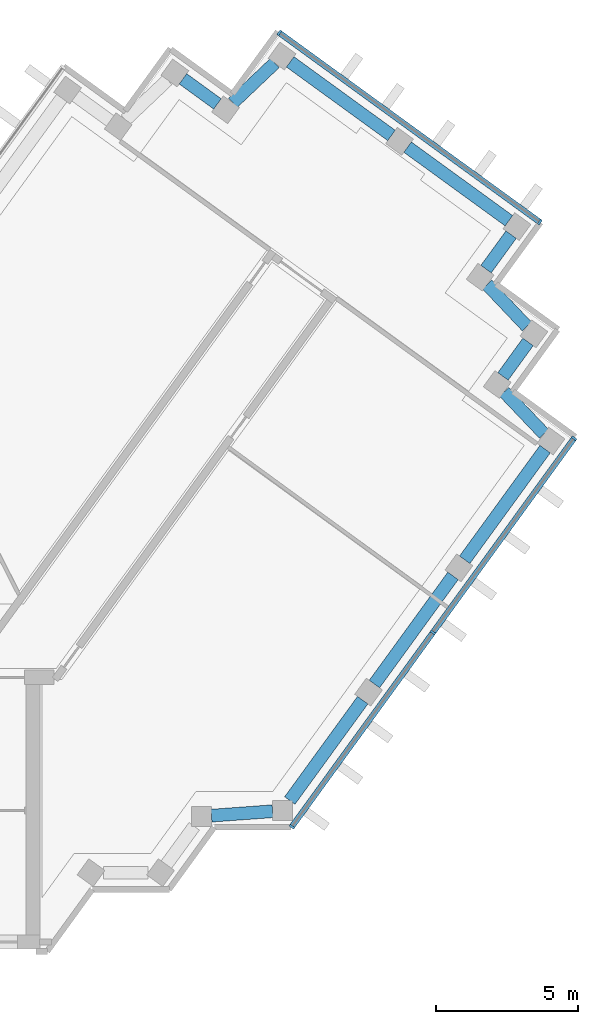
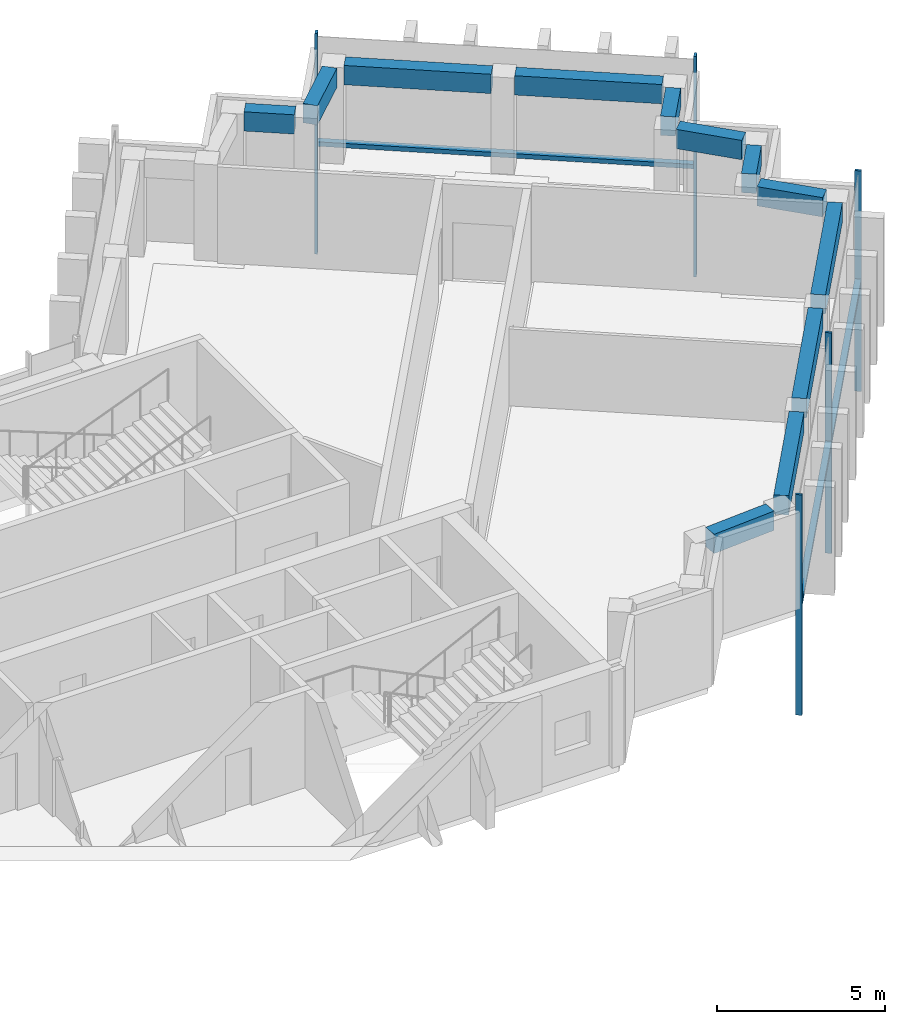
# One storey, part 6 of 13: 12 beams, 8 members, 2 elements without a shape of their own.
"""IFC4 building model written with IfcOpenShell, lengths in metres."""

from ifc_helpers import new_model, si_unit, direction, frame, origin, origin_2d, place, context, subcontext, project, spatial, rectangle, extrude, material, material_profile, profile_set, type_object, element, aggregate, save


model = new_model("IFC4")

# Units and contexts
model_context = context("Model", 3, precision=1e-05, world=origin(), true_north=direction((0.0, 1.0)))
body_context = subcontext(model_context, "Body", "Model", "MODEL_VIEW")
ifc_project = project(units=[si_unit("LENGTHUNIT", "METRE"), si_unit("AREAUNIT", "SQUARE_METRE"), si_unit("VOLUMEUNIT", "CUBIC_METRE"), si_unit("PLANEANGLEUNIT", "RADIAN"), si_unit("MASSUNIT", "GRAM", prefix="KILO")], contexts=[model_context])

# Site, building, storey
site_placement = place(None, origin())
site = spatial("IfcSite", under=ifc_project, at=site_placement, CompositionType="ELEMENT")
building_placement = place(site_placement, origin())
building = spatial("IfcBuilding", under=site, at=building_placement, Name="Quipu Civic Tower", CompositionType="ELEMENT")
storey_placement = place(building_placement, frame((0.0, 0.0, 269.0)))
storey = spatial("IfcBuildingStorey", under=building, at=storey_placement, Name="L63", CompositionType="ELEMENT", Elevation=269.0)

# Curtain wall, members
ifc_material_1 = material(Name="Insulated glass unit", Category="glass")
curtain_wall_type = type_object("IfcCurtainWallType", Name="Office curtain wall CW1", PredefinedType="NOTDEFINED", material=ifc_material_1)
curtain_wall_1_placement = place(storey_placement, origin())
curtain_wall_1 = element("IfcCurtainWall", 1, at=curtain_wall_1_placement, inside=storey, type_object=curtain_wall_type, Name="Office curtain wall CW1 L62 run 16", PredefinedType="NOTDEFINED")
ifc_material_2 = material(Name="Anodised aluminium", Category="aluminium")
ifc_material_profile_1 = material_profile(ifc_material_2, rectangle(XDim=0.199951171875, YDim=0.080078125, at=origin_2d()), Name="RECT 200x80")
ifc_profile_set_1 = profile_set([ifc_material_profile_1], Name="Anodised aluminium")
member_type_1 = type_object("IfcMemberType", Name="Mullion CW1", PredefinedType="MULLION", material=ifc_profile_set_1)
member_1_placement = place(storey_placement, frame((28.853271484375, -6.698974609375, -3.919921875), z_axis=(0.0, 0.0, 1.0), x_axis=(-0.809016278475, 0.587786237643, 0.0)))
member_1 = element("IfcMember", 2, at=member_1_placement, type_object=member_type_1, Name="CW1 mullion 1", PredefinedType="MULLION", context=body_context, shape_type="SweptSolid", body=[
    extrude(rectangle(XDim=0.199951171875, YDim=0.080078125, at=origin_2d()), origin(), (0.0, 0.0, 1.0), 8.0),
])
member_2_placement = place(storey_placement, frame((33.81298828125, 0.12744140625, -3.919921875), z_axis=(0.0, 0.0, 1.0), x_axis=(-0.809016278475, 0.587786237643, 0.0)))
member_2 = element("IfcMember", 3, at=member_2_placement, type_object=member_type_1, Name="CW1 mullion 2", PredefinedType="MULLION", context=body_context, shape_type="SweptSolid", body=[
    extrude(rectangle(XDim=0.199951171875, YDim=0.080078125, at=origin_2d()), origin(), (0.0, 0.0, 1.0), 8.0),
])
member_3_placement = place(storey_placement, frame((38.772705078125, 6.953857421875, -3.919921875), z_axis=(0.0, 0.0, 1.0), x_axis=(-0.809016278475, 0.587786237643, 0.0)))
member_3 = element("IfcMember", 4, at=member_3_placement, type_object=member_type_1, Name="CW1 mullion 3", PredefinedType="MULLION", context=body_context, shape_type="SweptSolid", body=[
    extrude(rectangle(XDim=0.199951171875, YDim=0.080078125, at=origin_2d()), origin(), (0.0, 0.0, 1.0), 8.0),
])

curtain_wall_2_placement = place(storey_placement, origin())
curtain_wall_2 = element("IfcCurtainWall", 5, at=curtain_wall_2_placement, inside=storey, type_object=curtain_wall_type, Name="Office curtain wall CW1 L62 run 21", PredefinedType="NOTDEFINED")
member_4_placement = place(storey_placement, frame((37.569091796875, 14.552490234375, -3.919921875), z_axis=(0.0, 0.0, 1.0), x_axis=(-0.587787753918, -0.809015176832, 0.0)))
member_4 = element("IfcMember", 6, at=member_4_placement, type_object=member_type_1, Name="CW1 mullion 1", PredefinedType="MULLION", context=body_context, shape_type="SweptSolid", body=[
    extrude(rectangle(XDim=0.199951171875, YDim=0.080078125, at=origin_2d()), origin(), (0.0, 0.0, 1.0), 8.0),
])
member_5_placement = place(storey_placement, frame((28.4111328125, 21.206298828125, -3.919921875), z_axis=(0.0, 0.0, 1.0), x_axis=(-0.587787753918, -0.809015176832, 0.0)))
member_5 = element("IfcMember", 7, at=member_5_placement, type_object=member_type_1, Name="CW1 mullion 2", PredefinedType="MULLION", context=body_context, shape_type="SweptSolid", body=[
    extrude(rectangle(XDim=0.199951171875, YDim=0.080078125, at=origin_2d()), origin(), (0.0, 0.0, 1.0), 8.0),
])

# Beams
ifc_material_3 = material(Name="Concrete C50/60", Category="concrete")
ifc_material_profile_2 = material_profile(ifc_material_3, rectangle(XDim=0.449951171875, YDim=0.699951171875, at=origin_2d()), Name="RC450x700")
ifc_profile_set_2 = profile_set([ifc_material_profile_2], Name="Concrete C50/60")
beam_type = type_object("IfcBeamType", Name="Spandrel beam RC 450x700 C50/60", PredefinedType="SPANDREL", material=ifc_profile_set_2)
beam_1_placement = place(storey_placement, frame((26.0244140625, -6.3115234375, 3.14990234375), z_axis=(0.997379352029, 0.072349347934, 0.0), x_axis=(-0.072349347934, 0.997379352029, 0.0)))
element("IfcBeam", 8, at=beam_1_placement, inside=storey, type_object=beam_type, Name="Spandrel beam L63 J-Eo.3 to J-Eo.4", PredefinedType="SPANDREL", context=body_context, shape_type="SweptSolid", body=[
    extrude(rectangle(XDim=0.449951171875, YDim=0.699951171875, at=origin_2d()), origin(), (0.0, 0.0, 1.0), 2.15625),
])
beam_2_placement = place(storey_placement, frame((28.779296875, -5.780029296875, 3.14990234375), z_axis=(0.58777550284, 0.809024077677, 0.0), x_axis=(-0.809024077677, 0.58777550284, 0.0)))
element("IfcBeam", 9, at=beam_2_placement, inside=storey, type_object=beam_type, Name="Spandrel beam L63 J-Eo.4 to E-OUT-01", PredefinedType="SPANDREL", context=body_context, shape_type="SweptSolid", body=[
    extrude(rectangle(XDim=0.449951171875, YDim=0.699951171875, at=origin_2d()), origin(), (0.0, 0.0, 1.0), 4.36083984375),
])
beam_3_placement = place(storey_placement, frame((31.75390625, -1.685546875, 3.14990234375), z_axis=(0.587788656305, 0.809014521204, 0.0), x_axis=(-0.809014521204, 0.587788656305, 0.0)))
element("IfcBeam", 10, at=beam_3_placement, inside=storey, type_object=beam_type, Name="Spandrel beam L63 E-OUT-01 to E-OUT-02", PredefinedType="SPANDREL", context=body_context, shape_type="SweptSolid", body=[
    extrude(rectangle(XDim=0.449951171875, YDim=0.699951171875, at=origin_2d()), origin(), (0.0, 0.0, 1.0), 4.7001953125),
])
beam_4_placement = place(storey_placement, frame((34.927978515625, 2.68310546875, 3.14990234375), z_axis=(0.587905928359, 0.808929304328, 0.0), x_axis=(-0.808929304328, 0.587905928359, 0.0)))
element("IfcBeam", 11, at=beam_4_placement, inside=storey, type_object=beam_type, Name="Spandrel beam L63 E-OUT-02 to T-Eo.0-E22", PredefinedType="SPANDREL", context=body_context, shape_type="SweptSolid", body=[
    extrude(rectangle(XDim=0.449951171875, YDim=0.699951171875, at=origin_2d()), origin(), (0.0, 0.0, 1.0), 4.80712890625),
])
beam_5_placement = place(storey_placement, frame((37.71484375, 7.11279296875, 3.14990234375), z_axis=(-0.689175330605, 0.724594620244, 0.0), x_axis=(-0.724594620244, -0.689175330605, 0.0)))
element("IfcBeam", 12, at=beam_5_placement, inside=storey, type_object=beam_type, Name="Spandrel beam L63 T-Eo.0-E22 to T-Eo.1-E22", PredefinedType="SPANDREL", context=body_context, shape_type="SweptSolid", body=[
    extrude(rectangle(XDim=0.449951171875, YDim=0.699951171875, at=origin_2d()), origin(), (0.0, 0.0, 1.0), 2.033447265625),
])
beam_6_placement = place(storey_placement, frame((36.273681640625, 9.12744140625, 3.14990234375), z_axis=(0.587164895097, 0.809467347066, 0.0), x_axis=(-0.809467347066, 0.587164895097, 0.0)))
element("IfcBeam", 13, at=beam_6_placement, inside=storey, type_object=beam_type, Name="Spandrel beam L63 T-Eo.1-E22 to T-Eo.2-E22", PredefinedType="SPANDREL", context=body_context, shape_type="SweptSolid", body=[
    extrude(rectangle(XDim=0.449951171875, YDim=0.699951171875, at=origin_2d()), origin(), (0.0, 0.0, 1.0), 1.500244140625),
])
beam_7_placement = place(storey_placement, frame((37.114990234375, 10.88330078125, 3.14990234375), z_axis=(-0.688247466856, 0.725475998477, 0.0), x_axis=(-0.725475998477, -0.688247466856, 0.0)))
element("IfcBeam", 14, at=beam_7_placement, inside=storey, type_object=beam_type, Name="Spandrel beam L63 T-Eo.2-E22 to T-Eo.3-E22", PredefinedType="SPANDREL", context=body_context, shape_type="SweptSolid", body=[
    extrude(rectangle(XDim=0.449951171875, YDim=0.699951171875, at=origin_2d()), origin(), (0.0, 0.0, 1.0), 2.032958984375),
])
beam_8_placement = place(storey_placement, frame((35.6767578125, 12.8994140625, 3.14990234375), z_axis=(0.588345920092, 0.808609348394, 0.0), x_axis=(-0.808609348394, 0.588345920092, 0.0)))
element("IfcBeam", 15, at=beam_8_placement, inside=storey, type_object=beam_type, Name="Spandrel beam L63 T-Eo.3-E22 to T-Eo.4-E22", PredefinedType="SPANDREL", context=body_context, shape_type="SweptSolid", body=[
    extrude(rectangle(XDim=0.449951171875, YDim=0.699951171875, at=origin_2d()), origin(), (0.0, 0.0, 1.0), 1.499755859375),
])
beam_9_placement = place(storey_placement, frame((36.481689453125, 14.6005859375, 3.14990234375), z_axis=(-0.809117270763, 0.587647208921, 0.0), x_axis=(-0.587647208921, -0.809117270763, 0.0)))
element("IfcBeam", 16, at=beam_9_placement, inside=storey, type_object=beam_type, Name="Spandrel beam L63 T-Eo.4-E22 to TIP-E-01-E22", PredefinedType="SPANDREL", context=body_context, shape_type="SweptSolid", body=[
    extrude(rectangle(XDim=0.449951171875, YDim=0.699951171875, at=origin_2d()), origin(), (0.0, 0.0, 1.0), 4.40185546875),
])
beam_10_placement = place(storey_placement, frame((32.353759765625, 17.5986328125, 3.14990234375), z_axis=(-0.809146152767, 0.587607439931, 0.0), x_axis=(-0.587607439931, -0.809146152767, 0.0)))
element("IfcBeam", 17, at=beam_10_placement, inside=storey, type_object=beam_type, Name="Spandrel beam L63 TIP-E-01-E22 to T-Ei.0-E22", PredefinedType="SPANDREL", context=body_context, shape_type="SweptSolid", body=[
    extrude(rectangle(XDim=0.449951171875, YDim=0.699951171875, at=origin_2d()), origin(), (0.0, 0.0, 1.0), 4.400390625),
])
beam_11_placement = place(storey_placement, frame((28.251708984375, 20.14501953125, 3.14990234375), z_axis=(-0.725359138958, -0.688370626574, 0.0), x_axis=(0.688370626574, -0.725359138958, 0.0)))
element("IfcBeam", 18, at=beam_11_placement, inside=storey, type_object=beam_type, Name="Spandrel beam L63 T-Ei.0-E22 to T-Ei.1-E22", PredefinedType="SPANDREL", context=body_context, shape_type="SweptSolid", body=[
    extrude(rectangle(XDim=0.449951171875, YDim=0.699951171875, at=origin_2d()), origin(), (0.0, 0.0, 1.0), 2.032958984375),
])
beam_12_placement = place(storey_placement, frame((26.236083984375, 18.70654296875, 3.14990234375), z_axis=(-0.808644589435, 0.588297482553, 0.0), x_axis=(-0.588297482553, -0.808644589435, 0.0)))
element("IfcBeam", 19, at=beam_12_placement, inside=storey, type_object=beam_type, Name="Spandrel beam L63 T-Ei.1-E22 to T-Ei.2-E22", PredefinedType="SPANDREL", context=body_context, shape_type="SweptSolid", body=[
    extrude(rectangle(XDim=0.449951171875, YDim=0.699951171875, at=origin_2d()), origin(), (0.0, 0.0, 1.0), 1.500244140625),
])

# Member
ifc_material_4 = material(Name="Anodised aluminium", Category="aluminium")
ifc_material_profile_3 = material_profile(ifc_material_4, rectangle(XDim=0.199951171875, YDim=0.159912109375, at=origin_2d()), Name="RECT 200x160")
ifc_profile_set_3 = profile_set([ifc_material_profile_3], Name="Anodised aluminium")
member_type_2 = type_object("IfcMemberType", Name="Transom CW1", PredefinedType="USERDEFINED", material=ifc_profile_set_3)
member_6_placement = place(storey_placement, frame((28.876708984375, -6.66650390625, 0.080078125), z_axis=(0.587812107925, 0.808997481935, 0.0), x_axis=(-0.808997481935, 0.587812107925, 0.0)))
member_6 = element("IfcMember", 20, at=member_6_placement, type_object=member_type_2, Name="CW1 transom 1.2", ObjectType="TRANSOM", PredefinedType="USERDEFINED", context=body_context, shape_type="SweptSolid", body=[
    extrude(rectangle(XDim=0.199951171875, YDim=0.159912109375, at=origin_2d()), origin(), (0.0, 0.0, 1.0), 8.35791015625),
])

member_7_placement = place(storey_placement, frame((33.83642578125, 0.15966796875, 0.080078125), z_axis=(0.587779098815, 0.809021465102, 0.0), x_axis=(-0.809021465102, 0.587779098815, 0.0)))
member_7 = element("IfcMember", 21, at=member_7_placement, type_object=member_type_2, Name="CW1 transom 2.2", ObjectType="TRANSOM", PredefinedType="USERDEFINED", context=body_context, shape_type="SweptSolid", body=[
    extrude(rectangle(XDim=0.199951171875, YDim=0.159912109375, at=origin_2d()), origin(), (0.0, 0.0, 1.0), 8.35791015625),
])

aggregate(curtain_wall_1, [member_1, member_2, member_3, member_6, member_7])

member_8_placement = place(storey_placement, frame((37.536865234375, 14.575927734375, 0.080078125), z_axis=(-0.809022463805, 0.587777724194, 0.0), x_axis=(-0.587777724194, -0.809022463805, 0.0)))
member_8 = element("IfcMember", 22, at=member_8_placement, type_object=member_type_2, Name="CW1 transom 1.2", ObjectType="TRANSOM", PredefinedType="USERDEFINED", context=body_context, shape_type="SweptSolid", body=[
    extrude(rectangle(XDim=0.199951171875, YDim=0.159912109375, at=origin_2d()), origin(), (0.0, 0.0, 1.0), 11.240234375),
])

aggregate(curtain_wall_2, [member_4, member_5, member_8])

save(model, "model.ifc")
